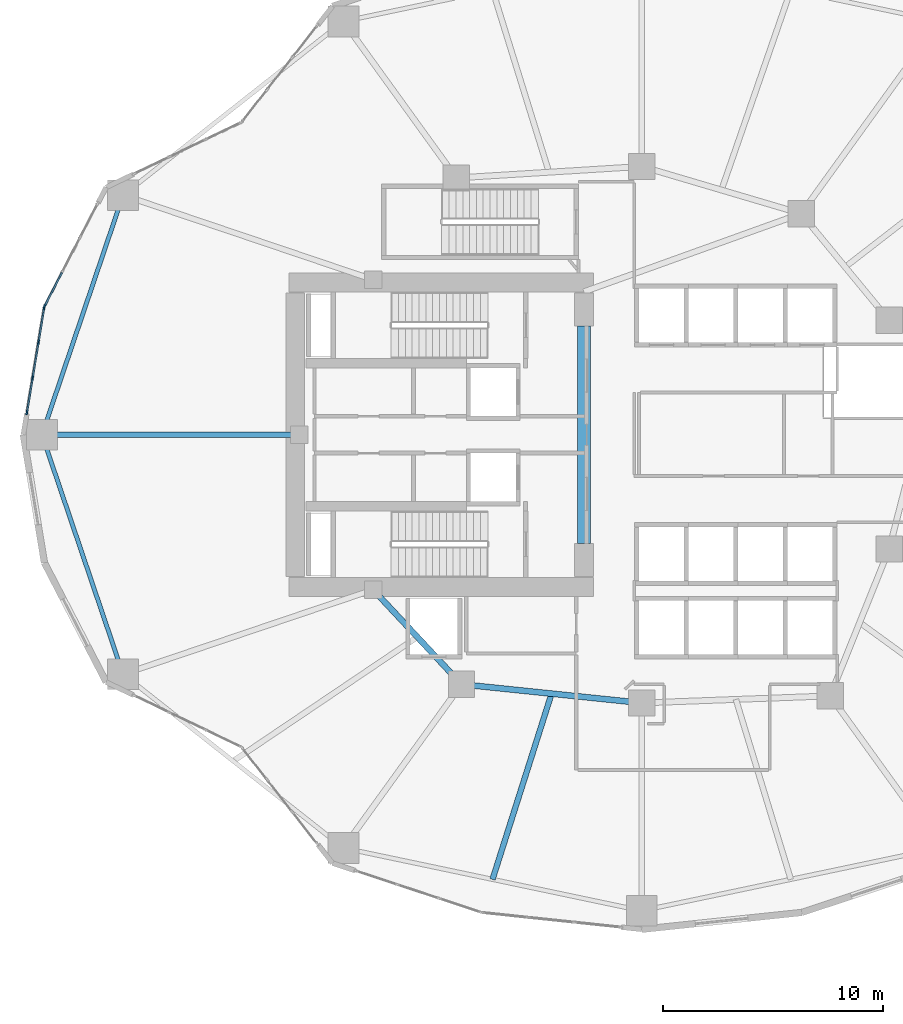
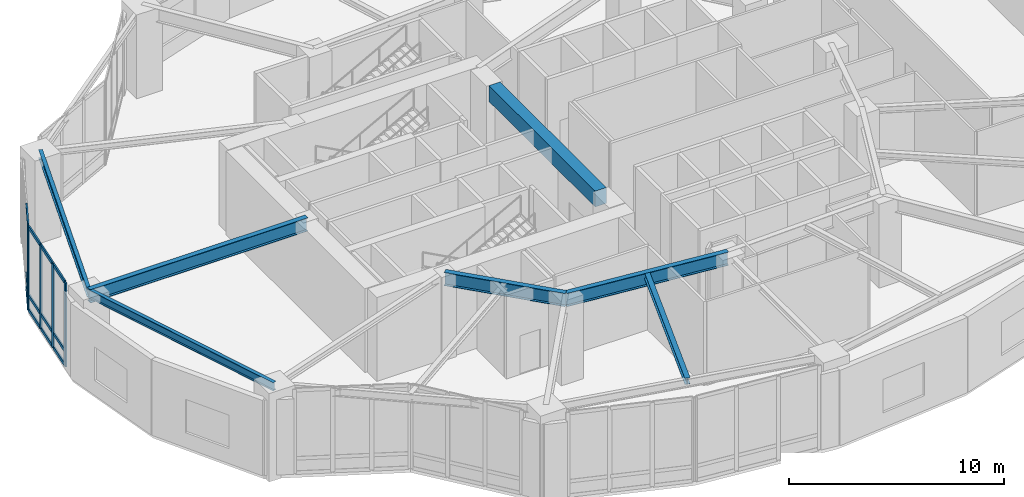
# One storey, part 3 of 24: 17 members, 7 beams, 2 elements without a shape of their own.
"""IFC4 building model written with IfcOpenShell, lengths in metres."""

from ifc_helpers import new_model, si_unit, direction, frame, origin, origin_2d, place, context, subcontext, project, spatial, rectangle, i_section, extrude, material, layer, layer_set, material_profile, profile_set, type_object, element, aggregate, save


model = new_model("IFC4")

# Units and contexts
model_context = context("Model", 3, precision=1e-05, world=origin(), true_north=direction((0.0, 1.0)))
body_context = subcontext(model_context, "Body", "Model", "MODEL_VIEW")
ifc_project = project(units=[si_unit("LENGTHUNIT", "METRE"), si_unit("AREAUNIT", "SQUARE_METRE"), si_unit("VOLUMEUNIT", "CUBIC_METRE"), si_unit("PLANEANGLEUNIT", "RADIAN"), si_unit("MASSUNIT", "GRAM", prefix="KILO")], contexts=[model_context])

# Site, building, storey
site_placement = place(None, origin())
site = spatial("IfcSite", under=ifc_project, at=site_placement, CompositionType="ELEMENT")
building_placement = place(site_placement, origin())
building = spatial("IfcBuilding", under=site, at=building_placement, Name="Kolvaren Gate Tower and Convention Centre", CompositionType="ELEMENT")
storey_placement = place(building_placement, frame((0.0, 0.0, 10.0)))
storey = spatial("IfcBuildingStorey", under=building, at=storey_placement, Name="L02", CompositionType="ELEMENT", Elevation=10.0)

# Curtain wall, member
ifc_material_1 = material(Name="Anodized Architectural Aluminium Alloy 6063-T6", Category="aluminium")
ifc_layer = layer(ifc_material_1, 0.179931640625)
ifc_layer_set = layer_set([ifc_layer], Name="Anodized Architectural Aluminium Alloy 6063-T6")
curtain_wall_type = type_object("IfcCurtainWallType", Name="CW-POD-GLZ", PredefinedType="NOTDEFINED", material=ifc_layer_set)
curtain_wall_1_placement = place(storey_placement, origin())
curtain_wall_1 = element("IfcCurtainWall", 1, at=curtain_wall_1_placement, inside=storey, type_object=curtain_wall_type, Name="Tower L02 Unitised Curtain Wall CW-POD-GLZ Bay 10", PredefinedType="NOTDEFINED")
ifc_material_profile_1 = material_profile(ifc_material_1, rectangle(XDim=0.074951171875, YDim=0.199951171875, at=origin_2d()), Name="CW-MEM-MUL-200")
ifc_profile_set_1 = profile_set([ifc_material_profile_1], Name="Anodized Architectural Aluminium Alloy 6063-T6")
member_type_1 = type_object("IfcMemberType", Name="CW-MEM-MUL-200", PredefinedType="MULLION", material=ifc_profile_set_1)
member_1_placement = place(storey_placement, frame((2.9755859375, 32.856689453125, 0.0), z_axis=(0.0, 0.0, 1.0), x_axis=(-0.888028058024, 0.459789264949, 0.0)))
member_1 = element("IfcMember", 2, at=member_1_placement, type_object=member_type_1, Name="CW-01 mullion 1", PredefinedType="MULLION", context=body_context, shape_type="SweptSolid", body=[
    extrude(rectangle(XDim=0.074951171875, YDim=0.199951171875, at=origin_2d()), origin(), (0.0, 0.0, 1.0), 4.760009765625),
])

# Curtain wall, members
curtain_wall_2_placement = place(storey_placement, origin())
curtain_wall_2 = element("IfcCurtainWall", 3, at=curtain_wall_2_placement, inside=storey, type_object=curtain_wall_type, Name="Tower L02 Unitised Curtain Wall CW-POD-GLZ Bay 11", PredefinedType="NOTDEFINED")
member_2_placement = place(storey_placement, frame((2.164794921875, 28.001953125, 0.0), z_axis=(0.0, 0.0, 1.0), x_axis=(-0.986728883059, 0.162376449454, 0.0)))
member_2 = element("IfcMember", 4, at=member_2_placement, type_object=member_type_1, Name="CW-01 mullion 1", PredefinedType="MULLION", context=body_context, shape_type="SweptSolid", body=[
    extrude(rectangle(XDim=0.074951171875, YDim=0.199951171875, at=origin_2d()), origin(), (0.0, 0.0, 1.0), 4.760009765625),
])
member_3_placement = place(storey_placement, frame((2.42529296875, 29.58447265625, 0.0), z_axis=(0.0, 0.0, 1.0), x_axis=(-0.986728883059, 0.162376449454, 0.0)))
member_3 = element("IfcMember", 5, at=member_3_placement, type_object=member_type_1, Name="CW-01 mullion 2", PredefinedType="MULLION", context=body_context, shape_type="SweptSolid", body=[
    extrude(rectangle(XDim=0.074951171875, YDim=0.199951171875, at=origin_2d()), origin(), (0.0, 0.0, 1.0), 4.760009765625),
])
member_4_placement = place(storey_placement, frame((2.69189453125, 31.203857421875, 0.0), z_axis=(0.0, 0.0, 1.0), x_axis=(-0.986728883059, 0.162376449454, 0.0)))
member_4 = element("IfcMember", 6, at=member_4_placement, type_object=member_type_1, Name="CW-01 mullion 3", PredefinedType="MULLION", context=body_context, shape_type="SweptSolid", body=[
    extrude(rectangle(XDim=0.074951171875, YDim=0.199951171875, at=origin_2d()), origin(), (0.0, 0.0, 1.0), 4.760009765625),
])
member_5_placement = place(storey_placement, frame((2.9521484375, 32.786376953125, 0.0), z_axis=(0.0, 0.0, 1.0), x_axis=(-0.986728883059, 0.162376449454, 0.0)))
member_5 = element("IfcMember", 7, at=member_5_placement, type_object=member_type_1, Name="CW-01 mullion 4", PredefinedType="MULLION", context=body_context, shape_type="SweptSolid", body=[
    extrude(rectangle(XDim=0.074951171875, YDim=0.199951171875, at=origin_2d()), origin(), (0.0, 0.0, 1.0), 4.760009765625),
])

# Member
ifc_material_profile_2 = material_profile(ifc_material_1, rectangle(XDim=0.074951171875, YDim=0.199951171875, at=origin_2d()), Name="CW-MEM-TRN-200")
ifc_profile_set_2 = profile_set([ifc_material_profile_2], Name="Anodized Architectural Aluminium Alloy 6063-T6")
member_type_2 = type_object("IfcMemberType", Name="CW-MEM-TRN-200", PredefinedType="USERDEFINED", material=ifc_profile_set_2)
member_6_placement = place(storey_placement, frame((2.99267578125, 32.889892578125, 0.03759765625), z_axis=(0.459779568352, 0.888033078509, 0.0), x_axis=(-0.888033078509, 0.459779568352, 0.0)))
member_6 = element("IfcMember", 8, at=member_6_placement, type_object=member_type_2, Name="CW-01 transom 1.1", ObjectType="TRANSOM", PredefinedType="USERDEFINED", context=body_context, shape_type="SweptSolid", body=[
    extrude(rectangle(XDim=0.074951171875, YDim=0.199951171875, at=origin_2d()), origin(), (0.0, 0.0, 1.0), 1.6572265625),
])

member_7_placement = place(storey_placement, frame((2.99267578125, 32.889892578125, 0.85009765625), z_axis=(0.459779568352, 0.888033078509, 0.0), x_axis=(-0.888033078509, 0.459779568352, 0.0)))
member_7 = element("IfcMember", 9, at=member_7_placement, type_object=member_type_2, Name="CW-01 transom 1.2", ObjectType="TRANSOM", PredefinedType="USERDEFINED", context=body_context, shape_type="SweptSolid", body=[
    extrude(rectangle(XDim=0.074951171875, YDim=0.199951171875, at=origin_2d()), origin(), (0.0, 0.0, 1.0), 1.6572265625),
])

member_8_placement = place(storey_placement, frame((2.99267578125, 32.889892578125, 4.722412109375), z_axis=(0.459779568352, 0.888033078509, 0.0), x_axis=(-0.888033078509, 0.459779568352, 0.0)))
member_8 = element("IfcMember", 10, at=member_8_placement, type_object=member_type_2, Name="CW-01 transom 1.3", ObjectType="TRANSOM", PredefinedType="USERDEFINED", context=body_context, shape_type="SweptSolid", body=[
    extrude(rectangle(XDim=0.074951171875, YDim=0.199951171875, at=origin_2d()), origin(), (0.0, 0.0, 1.0), 1.6572265625),
])

aggregate(curtain_wall_1, [member_1, member_6, member_7, member_8])

member_9_placement = place(storey_placement, frame((2.1708984375, 28.0390625, 0.03759765625), z_axis=(0.162430279012, 0.98672002334, 0.0), x_axis=(-0.98672002334, 0.162430279012, 0.0)))
member_9 = element("IfcMember", 11, at=member_9_placement, type_object=member_type_2, Name="CW-01 transom 1.1", ObjectType="TRANSOM", PredefinedType="USERDEFINED", context=body_context, shape_type="SweptSolid", body=[
    extrude(rectangle(XDim=0.074951171875, YDim=0.199951171875, at=origin_2d()), origin(), (0.0, 0.0, 1.0), 1.528564453125),
])

member_10_placement = place(storey_placement, frame((2.1708984375, 28.0390625, 0.85009765625), z_axis=(0.162430279012, 0.98672002334, 0.0), x_axis=(-0.98672002334, 0.162430279012, 0.0)))
member_10 = element("IfcMember", 12, at=member_10_placement, type_object=member_type_2, Name="CW-01 transom 1.2", ObjectType="TRANSOM", PredefinedType="USERDEFINED", context=body_context, shape_type="SweptSolid", body=[
    extrude(rectangle(XDim=0.074951171875, YDim=0.199951171875, at=origin_2d()), origin(), (0.0, 0.0, 1.0), 1.528564453125),
])

member_11_placement = place(storey_placement, frame((2.1708984375, 28.0390625, 4.722412109375), z_axis=(0.162430279012, 0.98672002334, 0.0), x_axis=(-0.98672002334, 0.162430279012, 0.0)))
member_11 = element("IfcMember", 13, at=member_11_placement, type_object=member_type_2, Name="CW-01 transom 1.3", ObjectType="TRANSOM", PredefinedType="USERDEFINED", context=body_context, shape_type="SweptSolid", body=[
    extrude(rectangle(XDim=0.074951171875, YDim=0.199951171875, at=origin_2d()), origin(), (0.0, 0.0, 1.0), 1.528564453125),
])

member_12_placement = place(storey_placement, frame((2.431396484375, 29.62158203125, 0.03759765625), z_axis=(0.162426987198, 0.986720565221, 0.0), x_axis=(-0.986720565221, 0.162426987198, 0.0)))
member_12 = element("IfcMember", 14, at=member_12_placement, type_object=member_type_2, Name="CW-01 transom 2.1", ObjectType="TRANSOM", PredefinedType="USERDEFINED", context=body_context, shape_type="SweptSolid", body=[
    extrude(rectangle(XDim=0.074951171875, YDim=0.199951171875, at=origin_2d()), origin(), (0.0, 0.0, 1.0), 1.566162109375),
])

member_13_placement = place(storey_placement, frame((2.431396484375, 29.62158203125, 0.85009765625), z_axis=(0.162426987198, 0.986720565221, 0.0), x_axis=(-0.986720565221, 0.162426987198, 0.0)))
member_13 = element("IfcMember", 15, at=member_13_placement, type_object=member_type_2, Name="CW-01 transom 2.2", ObjectType="TRANSOM", PredefinedType="USERDEFINED", context=body_context, shape_type="SweptSolid", body=[
    extrude(rectangle(XDim=0.074951171875, YDim=0.199951171875, at=origin_2d()), origin(), (0.0, 0.0, 1.0), 1.566162109375),
])

member_14_placement = place(storey_placement, frame((2.431396484375, 29.62158203125, 4.722412109375), z_axis=(0.162426987198, 0.986720565221, 0.0), x_axis=(-0.986720565221, 0.162426987198, 0.0)))
member_14 = element("IfcMember", 16, at=member_14_placement, type_object=member_type_2, Name="CW-01 transom 2.3", ObjectType="TRANSOM", PredefinedType="USERDEFINED", context=body_context, shape_type="SweptSolid", body=[
    extrude(rectangle(XDim=0.074951171875, YDim=0.199951171875, at=origin_2d()), origin(), (0.0, 0.0, 1.0), 1.566162109375),
])

member_15_placement = place(storey_placement, frame((2.697998046875, 31.240966796875, 0.03759765625), z_axis=(0.162249200801, 0.986749814715, 0.0), x_axis=(-0.986749814715, 0.162249200801, 0.0)))
member_15 = element("IfcMember", 17, at=member_15_placement, type_object=member_type_2, Name="CW-01 transom 3.1", ObjectType="TRANSOM", PredefinedType="USERDEFINED", context=body_context, shape_type="SweptSolid", body=[
    extrude(rectangle(XDim=0.074951171875, YDim=0.199951171875, at=origin_2d()), origin(), (0.0, 0.0, 1.0), 1.52880859375),
])

member_16_placement = place(storey_placement, frame((2.697998046875, 31.240966796875, 0.85009765625), z_axis=(0.162249200801, 0.986749814715, 0.0), x_axis=(-0.986749814715, 0.162249200801, 0.0)))
member_16 = element("IfcMember", 18, at=member_16_placement, type_object=member_type_2, Name="CW-01 transom 3.2", ObjectType="TRANSOM", PredefinedType="USERDEFINED", context=body_context, shape_type="SweptSolid", body=[
    extrude(rectangle(XDim=0.074951171875, YDim=0.199951171875, at=origin_2d()), origin(), (0.0, 0.0, 1.0), 1.52880859375),
])

member_17_placement = place(storey_placement, frame((2.697998046875, 31.240966796875, 4.722412109375), z_axis=(0.162249200801, 0.986749814715, 0.0), x_axis=(-0.986749814715, 0.162249200801, 0.0)))
member_17 = element("IfcMember", 19, at=member_17_placement, type_object=member_type_2, Name="CW-01 transom 3.3", ObjectType="TRANSOM", PredefinedType="USERDEFINED", context=body_context, shape_type="SweptSolid", body=[
    extrude(rectangle(XDim=0.074951171875, YDim=0.199951171875, at=origin_2d()), origin(), (0.0, 0.0, 1.0), 1.52880859375),
])

aggregate(curtain_wall_2, [member_2, member_3, member_4, member_5, member_9, member_10, member_11, member_12, member_13, member_14, member_15, member_16, member_17])

# Beams
ifc_material_2 = material(Name="Structural steel ASTM A992 Grade 345 MPa", Category="steel")
ifc_material_profile_3 = material_profile(ifc_material_2, i_section(OverallWidth=0.26806640625, OverallDepth=0.758056640625, WebThickness=0.016357421875, FlangeThickness=0.025390625, at=origin_2d()), Name="W760X220")
ifc_profile_set_3 = profile_set([ifc_material_profile_3], Name="Structural steel ASTM A992 Grade 345 MPa")
beam_type_1 = type_object("IfcBeamType", Name="STR-BM-W760X220", PredefinedType="BEAM", material=ifc_profile_set_3)
beam_1_placement = place(storey_placement, frame((17.9140625, 19.949951171875, 4.381103515625), z_axis=(0.682557592987, -0.730831808459, 0.0), x_axis=(0.730831808459, 0.682557592987, 0.0)))
element("IfcBeam", 20, at=beam_1_placement, inside=storey, type_object=beam_type_1, Name="Tower L02 Primary Ring Girder G-06", PredefinedType="BEAM", context=body_context, shape_type="SweptSolid", body=[
    extrude(i_section(OverallWidth=0.26806640625, OverallDepth=0.758056640625, WebThickness=0.016357421875, FlangeThickness=0.025390625, at=origin_2d()), origin(), (0.0, 0.0, 1.0), 5.88671875),
])
beam_2_placement = place(storey_placement, frame((21.93212890625, 15.647705078125, 4.381103515625), z_axis=(0.994690329115, -0.102913308978, 0.0), x_axis=(0.102913308978, 0.994690329115, 0.0)))
element("IfcBeam", 21, at=beam_2_placement, inside=storey, type_object=beam_type_1, Name="Tower L02 Primary Ring Girder G-07", PredefinedType="BEAM", context=body_context, shape_type="SweptSolid", body=[
    extrude(i_section(OverallWidth=0.26806640625, OverallDepth=0.758056640625, WebThickness=0.016357421875, FlangeThickness=0.025390625, at=origin_2d()), origin(), (0.0, 0.0, 1.0), 8.236572265625),
])
beam_3_placement = place(storey_placement, frame((14.550048828125, 27.0, 4.381103515625), z_axis=(-1.0, 0.0, 0.0), x_axis=(0.0, -1.0, 0.0)))
element("IfcBeam", 22, at=beam_3_placement, inside=storey, type_object=beam_type_1, Name="Tower L02 Radial Floor Girder RB-07", PredefinedType="BEAM", context=body_context, shape_type="SweptSolid", body=[
    extrude(i_section(OverallWidth=0.26806640625, OverallDepth=0.758056640625, WebThickness=0.016357421875, FlangeThickness=0.025390625, at=origin_2d()), origin(), (0.0, 0.0, 1.0), 11.699951171875),
])
ifc_material_profile_4 = material_profile(ifc_material_2, i_section(OverallWidth=0.2548828125, OverallDepth=0.35693359375, WebThickness=0.010498046875, FlangeThickness=0.018310546875, at=origin_2d()), Name="W360X101")
ifc_profile_set_4 = profile_set([ifc_material_profile_4], Name="Structural steel ASTM A992 Grade 345 MPa")
beam_type_2 = type_object("IfcBeamType", Name="STR-JS-W360X101", PredefinedType="JOIST", material=ifc_profile_set_4)
beam_4_placement = place(storey_placement, frame((26.028564453125, 15.223876953125, 4.58154296875), z_axis=(-0.303059270932, -0.952971709078, 0.0), x_axis=(0.952971709078, -0.303059270932, 0.0)))
element("IfcBeam", 23, at=beam_4_placement, inside=storey, type_object=beam_type_2, Name="Tower L02 Secondary Composite Floor Joist J-09.1", PredefinedType="JOIST", context=body_context, shape_type="SweptSolid", body=[
    extrude(i_section(OverallWidth=0.2548828125, OverallDepth=0.35693359375, WebThickness=0.010498046875, FlangeThickness=0.018310546875, at=origin_2d()), origin(), (0.0, 0.0, 1.0), 8.86376953125),
])
ifc_material_3 = material(Name="Concrete C60/75", Category="concrete")
ifc_material_profile_5 = material_profile(ifc_material_3, rectangle(XDim=0.60009765625, YDim=0.89990234375, at=origin_2d()), Name="RC-BM-600X900")
ifc_profile_set_5 = profile_set([ifc_material_profile_5], Name="Concrete C60/75")
beam_type_3 = type_object("IfcBeamType", Name="STR-LN-RC600X900", PredefinedType="LINTEL", material=ifc_profile_set_5)
beam_5_placement = place(storey_placement, frame((27.5, 22.050048828125, 4.31005859375), z_axis=(0.0, 1.0, 0.0), x_axis=(-1.0, 0.0, 0.0)))
element("IfcBeam", 24, at=beam_5_placement, inside=storey, type_object=beam_type_3, Name="Tower L02 Core Ductile Coupling Beam CB-01", PredefinedType="LINTEL", context=body_context, shape_type="SweptSolid", body=[
    extrude(rectangle(XDim=0.60009765625, YDim=0.89990234375, at=origin_2d()), origin(), (0.0, 0.0, 1.0), 9.89990234375),
])
ifc_material_profile_6 = material_profile(ifc_material_2, i_section(OverallWidth=0.194091796875, OverallDepth=0.468994140625, WebThickness=0.0126953125, FlangeThickness=0.0205078125, at=origin_2d()), Name="W460X106")
ifc_profile_set_6 = profile_set([ifc_material_profile_6], Name="Structural steel ASTM A992 Grade 345 MPa")
beam_type_4 = type_object("IfcBeamType", Name="STR-SP-W460X106", PredefinedType="SPANDREL", material=ifc_profile_set_6)
for number, where, z_axis, x_axis, name in (
    (25, (6.539794921875, 37.8935546875, 4.525390625), (-0.320802733798, -0.947146032029, 0.0), (0.947146032029, -0.320802733798, 0.0), "Tower L02 Perimeter Spandrel Beam SP-06"),
    (26, (2.85009765625, 27.0, 4.525390625), (0.320802733798, -0.947146032029, 0.0), (0.947146032029, 0.320802733798, 0.0), "Tower L02 Perimeter Spandrel Beam SP-07"),
):
    element("IfcBeam", number, at=place(storey_placement, frame(where, z_axis=z_axis, x_axis=x_axis)), inside=storey, type_object=beam_type_4, Name=name, PredefinedType="SPANDREL", context=body_context, shape_type="SweptSolid", body=[
        extrude(i_section(OverallWidth=0.194091796875, OverallDepth=0.468994140625, WebThickness=0.0126953125, FlangeThickness=0.0205078125, at=origin_2d()), origin(), (0.0, 0.0, 1.0), 11.50146484375),
    ])

save(model, "model.ifc")
